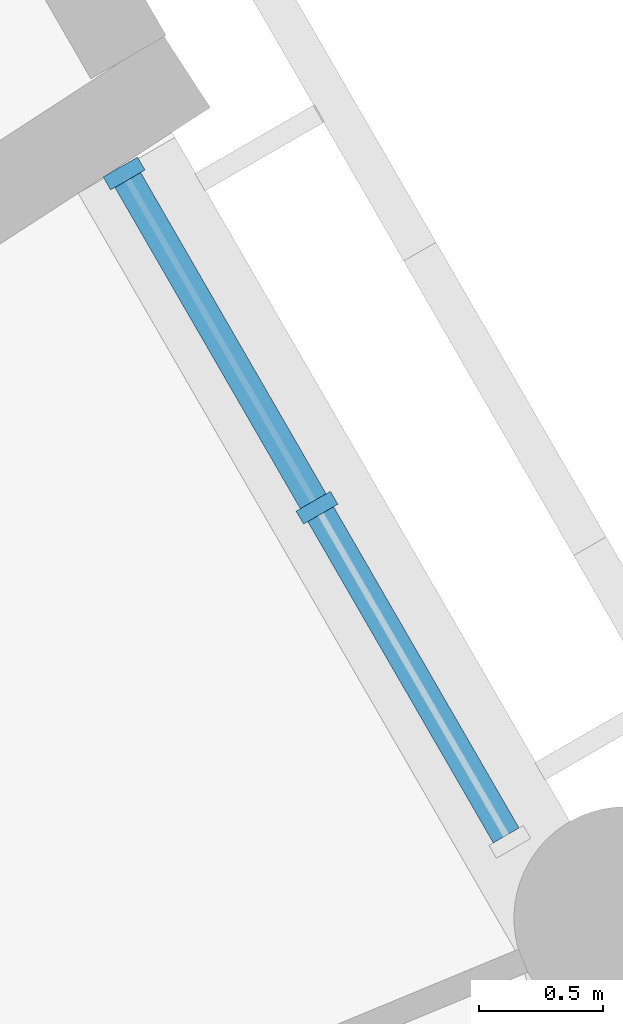
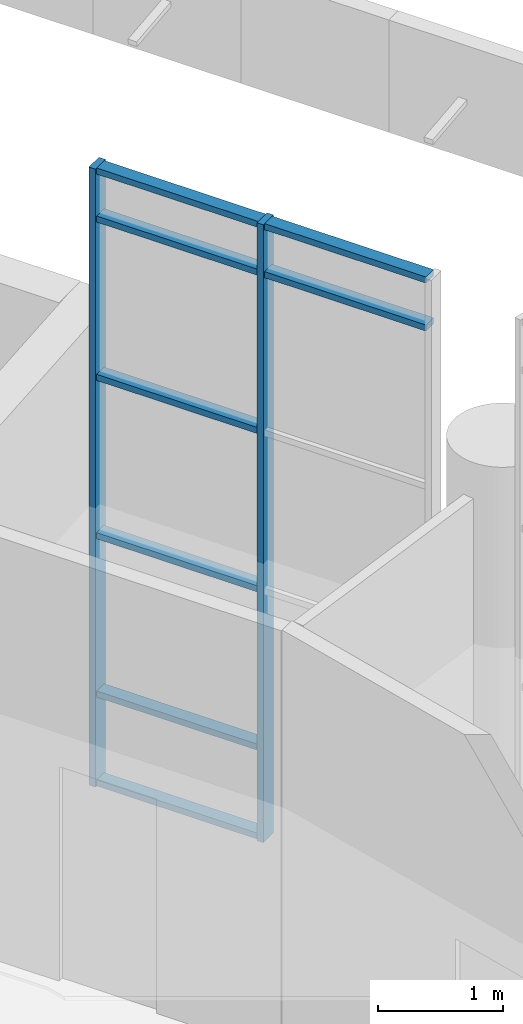
# One storey, part 16 of 136: 10 members, 1 element without a shape of its own.
"""IFC4 building model written with IfcOpenShell, lengths in metres."""

from ifc_helpers import new_model, si_unit, direction, frame, origin, origin_2d, place, context, subcontext, project, spatial, rectangle, extrude, material, material_profile, profile_set, type_object, element, aggregate, save


model = new_model("IFC4")

# Units and contexts
model_context = context("Model", 3, precision=1e-05, world=origin(), true_north=direction((0.0, 1.0)))
body_context = subcontext(model_context, "Body", "Model", "MODEL_VIEW")
ifc_project = project(units=[si_unit("LENGTHUNIT", "METRE"), si_unit("AREAUNIT", "SQUARE_METRE"), si_unit("VOLUMEUNIT", "CUBIC_METRE"), si_unit("PLANEANGLEUNIT", "RADIAN"), si_unit("MASSUNIT", "GRAM", prefix="KILO")], contexts=[model_context])

# Site, building, storey
site_placement = place(None, origin())
site = spatial("IfcSite", under=ifc_project, at=site_placement, CompositionType="ELEMENT")
building_placement = place(site_placement, origin())
building = spatial("IfcBuilding", under=site, at=building_placement, Name="Bougainvillea Quay General Hospital", CompositionType="ELEMENT")
storey_placement = place(building_placement, frame((0.0, 0.0, 5.39990234375)))
storey = spatial("IfcBuildingStorey", under=building, at=storey_placement, Name="L01", CompositionType="ELEMENT", Elevation=5.39990234375)

# Curtain wall, members
ifc_material_1 = material(Name="Aluminium curtain wall system, powder-coated glazed", Category="aluminium")
curtain_wall_type = type_object("IfcCurtainWallType", Name="Unitised curtain wall CW-1585", PredefinedType="NOTDEFINED", material=ifc_material_1)
curtain_wall_placement = place(storey_placement, origin())
curtain_wall = element("IfcCurtainWall", 1, at=curtain_wall_placement, inside=storey, type_object=curtain_wall_type, Name="CW-D 00", PredefinedType="NOTDEFINED")
ifc_material_2 = material(Name="Aluminium mullion, powder-coated charcoal", Category="aluminium")
ifc_material_profile_1 = material_profile(ifc_material_2, rectangle(XDim=0.159912109375, YDim=0.06005859375, at=origin_2d()))
ifc_profile_set_1 = profile_set([ifc_material_profile_1], Name="Aluminium mullion, powder-coated charcoal")
member_type_1 = type_object("IfcMemberType", Name="Curtain wall mullion 160x60", PredefinedType="MULLION", material=ifc_profile_set_1)
member_1_placement = place(storey_placement, frame((127.357177734375, 83.690673828125, 0.0), z_axis=(0.0, 0.0, 1.0), x_axis=(-0.866045865692, -0.499964557262, 0.0)))
member_1 = element("IfcMember", 2, at=member_1_placement, type_object=member_type_1, Name="CW-D mullion 2", PredefinedType="MULLION", context=body_context, shape_type="SweptSolid", body=[
    extrude(rectangle(XDim=0.159912109375, YDim=0.06005859375, at=origin_2d()), origin(), (0.0, 0.0, 1.0), 6.050048828125),
])
member_2_placement = place(storey_placement, frame((126.579833984375, 85.037353515625, 0.0), z_axis=(0.0, 0.0, 1.0), x_axis=(-0.866045865692, -0.499964557262, 0.0)))
member_2 = element("IfcMember", 3, at=member_2_placement, type_object=member_type_1, Name="CW-D mullion 3", PredefinedType="MULLION", context=body_context, shape_type="SweptSolid", body=[
    extrude(rectangle(XDim=0.159912109375, YDim=0.06005859375, at=origin_2d()), origin(), (0.0, 0.0, 1.0), 6.050048828125),
])
ifc_material_3 = material(Name="Aluminium transom, powder-coated charcoal", Category="aluminium")
ifc_material_profile_2 = material_profile(ifc_material_3, rectangle(XDim=0.1201171875, YDim=0.06005859375, at=origin_2d()))
ifc_profile_set_2 = profile_set([ifc_material_profile_2], Name="Aluminium transom, powder-coated charcoal")
member_type_2 = type_object("IfcMemberType", Name="Curtain wall transom 120x60", PredefinedType="USERDEFINED", material=ifc_profile_set_2)
member_3_placement = place(storey_placement, frame((128.11962890625, 82.3701171875, 5.550048828125), z_axis=(-0.500108879088, 0.865962533287, 0.0), x_axis=(-0.865962533287, -0.500108879088, 0.0)))
member_3 = element("IfcMember", 4, at=member_3_placement, type_object=member_type_2, Name="CW-D transom 1.5", ObjectType="TRANSOM", PredefinedType="USERDEFINED", context=body_context, shape_type="SweptSolid", body=[
    extrude(rectangle(XDim=0.1201171875, YDim=0.06005859375, at=origin_2d()), origin(), (0.0, 0.0, 1.0), 1.494873046875),
])
member_4_placement = place(storey_placement, frame((128.11962890625, 82.3701171875, 6.02001953125), z_axis=(-0.500108879088, 0.865962533287, 0.0), x_axis=(-0.865962533287, -0.500108879088, 0.0)))
member_4 = element("IfcMember", 5, at=member_4_placement, type_object=member_type_2, Name="CW-D transom 1.6", ObjectType="TRANSOM", PredefinedType="USERDEFINED", context=body_context, shape_type="SweptSolid", body=[
    extrude(rectangle(XDim=0.1201171875, YDim=0.06005859375, at=origin_2d()), origin(), (0.0, 0.0, 1.0), 1.494873046875),
])
member_5_placement = place(storey_placement, frame((127.342041015625, 83.716552734375, 0.030029296875), z_axis=(-0.499915667175, 0.866074087889, 0.0), x_axis=(-0.866074087889, -0.499915667175, 0.0)))
member_5 = element("IfcMember", 6, at=member_5_placement, type_object=member_type_2, Name="CW-D transom 2.1", ObjectType="TRANSOM", PredefinedType="USERDEFINED", context=body_context, shape_type="SweptSolid", body=[
    extrude(rectangle(XDim=0.1201171875, YDim=0.06005859375, at=origin_2d()), origin(), (0.0, 0.0, 1.0), 1.494873046875),
])
member_6_placement = place(storey_placement, frame((127.342041015625, 83.716552734375, 0.900146484375), z_axis=(-0.499915667175, 0.866074087889, 0.0), x_axis=(-0.866074087889, -0.499915667175, 0.0)))
member_6 = element("IfcMember", 7, at=member_6_placement, type_object=member_type_2, Name="CW-D transom 2.2", ObjectType="TRANSOM", PredefinedType="USERDEFINED", context=body_context, shape_type="SweptSolid", body=[
    extrude(rectangle(XDim=0.1201171875, YDim=0.06005859375, at=origin_2d()), origin(), (0.0, 0.0, 1.0), 1.494873046875),
])
member_7_placement = place(storey_placement, frame((127.342041015625, 83.716552734375, 2.4501953125), z_axis=(-0.499915667175, 0.866074087889, 0.0), x_axis=(-0.866074087889, -0.499915667175, 0.0)))
member_7 = element("IfcMember", 8, at=member_7_placement, type_object=member_type_2, Name="CW-D transom 2.3", ObjectType="TRANSOM", PredefinedType="USERDEFINED", context=body_context, shape_type="SweptSolid", body=[
    extrude(rectangle(XDim=0.1201171875, YDim=0.06005859375, at=origin_2d()), origin(), (0.0, 0.0, 1.0), 1.494873046875),
])
member_8_placement = place(storey_placement, frame((127.342041015625, 83.716552734375, 4.0), z_axis=(-0.499915667175, 0.866074087889, 0.0), x_axis=(-0.866074087889, -0.499915667175, 0.0)))
member_8 = element("IfcMember", 9, at=member_8_placement, type_object=member_type_2, Name="CW-D transom 2.4", ObjectType="TRANSOM", PredefinedType="USERDEFINED", context=body_context, shape_type="SweptSolid", body=[
    extrude(rectangle(XDim=0.1201171875, YDim=0.06005859375, at=origin_2d()), origin(), (0.0, 0.0, 1.0), 1.494873046875),
])
member_9_placement = place(storey_placement, frame((127.342041015625, 83.716552734375, 5.550048828125), z_axis=(-0.499915667175, 0.866074087889, 0.0), x_axis=(-0.866074087889, -0.499915667175, 0.0)))
member_9 = element("IfcMember", 10, at=member_9_placement, type_object=member_type_2, Name="CW-D transom 2.5", ObjectType="TRANSOM", PredefinedType="USERDEFINED", context=body_context, shape_type="SweptSolid", body=[
    extrude(rectangle(XDim=0.1201171875, YDim=0.06005859375, at=origin_2d()), origin(), (0.0, 0.0, 1.0), 1.494873046875),
])
member_10_placement = place(storey_placement, frame((127.342041015625, 83.716552734375, 6.02001953125), z_axis=(-0.499915667175, 0.866074087889, 0.0), x_axis=(-0.866074087889, -0.499915667175, 0.0)))
member_10 = element("IfcMember", 11, at=member_10_placement, type_object=member_type_2, Name="CW-D transom 2.6", ObjectType="TRANSOM", PredefinedType="USERDEFINED", context=body_context, shape_type="SweptSolid", body=[
    extrude(rectangle(XDim=0.1201171875, YDim=0.06005859375, at=origin_2d()), origin(), (0.0, 0.0, 1.0), 1.494873046875),
])
aggregate(curtain_wall, [member_1, member_2, member_3, member_4, member_5, member_6, member_7, member_8, member_9, member_10])

save(model, "model.ifc")
